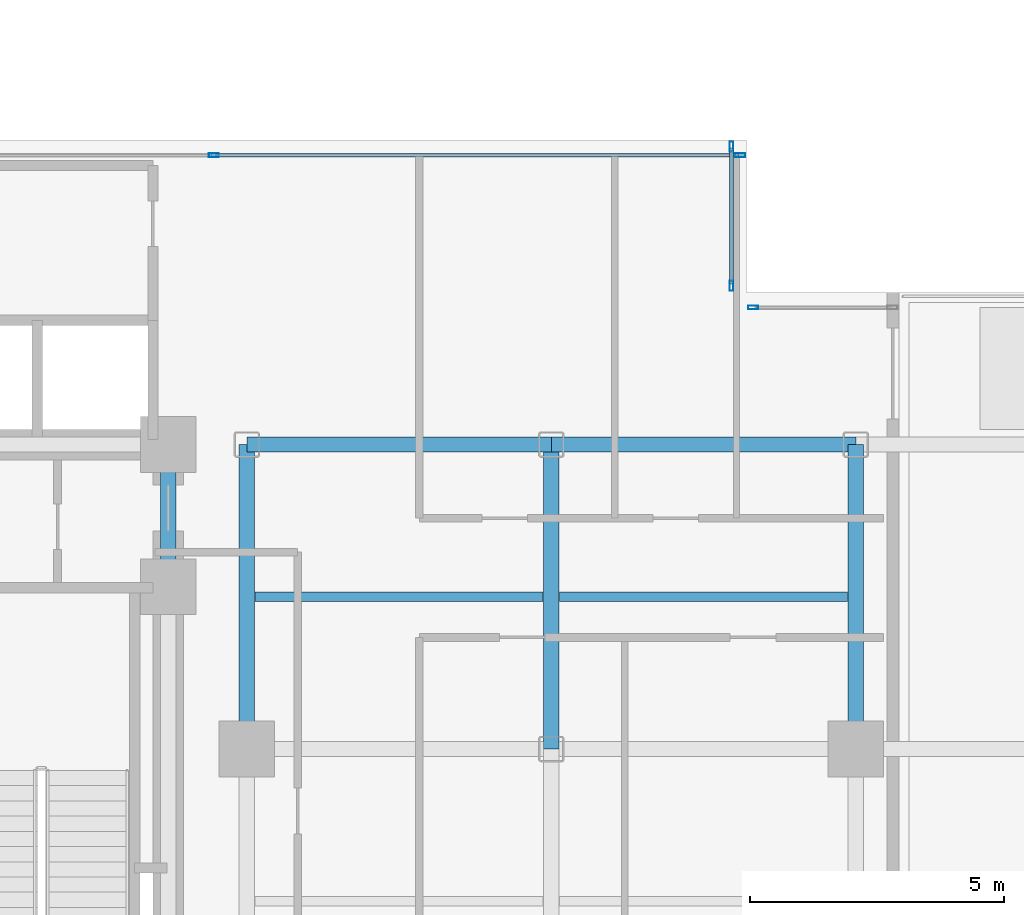
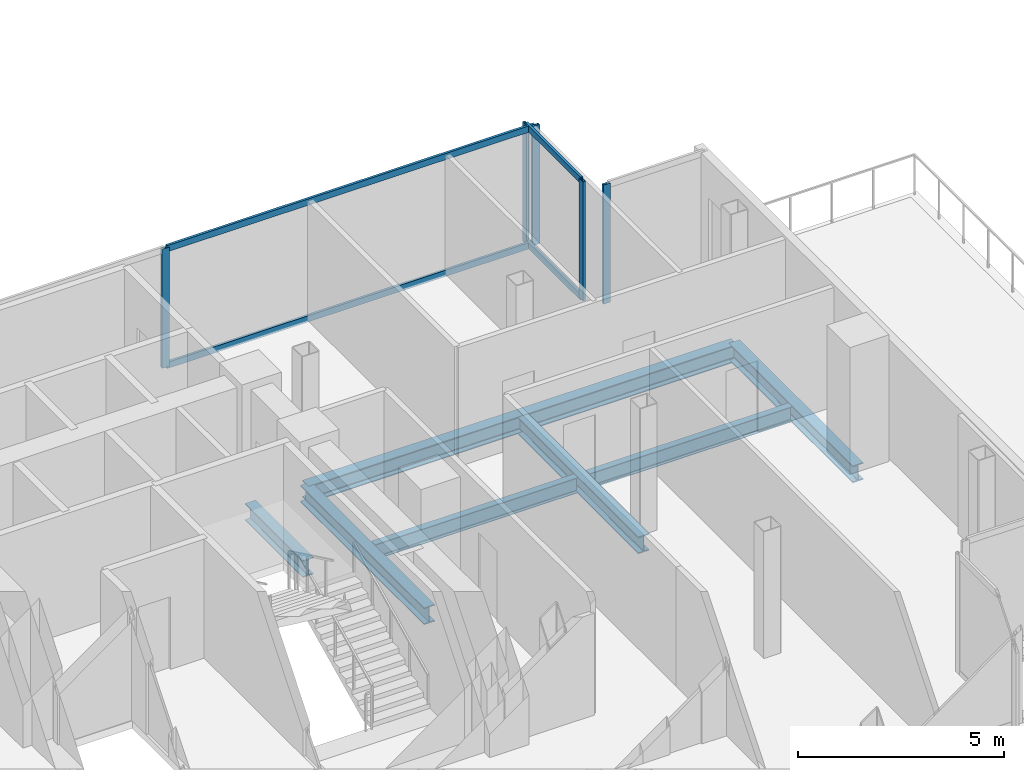
# One storey, part 13 of 26: 9 members, 8 beams, 3 elements without a shape of their own.
"""IFC4 building model written with IfcOpenShell, lengths in metres."""

from ifc_helpers import new_model, si_unit, direction, frame, origin, origin_2d, place, context, subcontext, project, spatial, hollow_rectangle, i_section, extrude, material, layer, layer_set, material_profile, profile_set, type_object, element, aggregate, save


model = new_model("IFC4")

# Units and contexts
model_context = context("Model", 3, precision=1e-05, world=origin(), true_north=direction((0.0, 1.0)))
body_context = subcontext(model_context, "Body", "Model", "MODEL_VIEW")
ifc_project = project(units=[si_unit("LENGTHUNIT", "METRE"), si_unit("AREAUNIT", "SQUARE_METRE"), si_unit("VOLUMEUNIT", "CUBIC_METRE"), si_unit("PLANEANGLEUNIT", "RADIAN"), si_unit("MASSUNIT", "GRAM", prefix="KILO"), si_unit("THERMODYNAMICTEMPERATUREUNIT", "KELVIN"), si_unit("POWERUNIT", "WATT")], contexts=[model_context])

# Site, building, storey
site_placement = place(None, origin())
site = spatial("IfcSite", under=ifc_project, at=site_placement, CompositionType="ELEMENT")
building_placement = place(site_placement, origin())
building = spatial("IfcBuilding", under=site, at=building_placement, Name="Svarakhadi Broadcast Tower", CompositionType="ELEMENT")
storey_placement = place(building_placement, frame((0.0, 0.0, 99.60009765625)))
storey = spatial("IfcBuildingStorey", under=building, at=storey_placement, Name="L23", CompositionType="ELEMENT", Elevation=99.60009765625)

# Beams
ifc_material_1 = material(Name="Steel S355J2 (IS 2062 E350C)", Category="steel")
ifc_material_profile_1 = material_profile(ifc_material_1, i_section(OverallWidth=0.18994140625, OverallDepth=0.449951171875, WebThickness=0.009521484375, FlangeThickness=0.0146484375, FilletRadius=0.02099609375, at=origin_2d()), Name="NPB 450x190x78")
ifc_profile_set_1 = profile_set([ifc_material_profile_1], Name="Steel S355J2 (IS 2062 E350C)")
beam_type_1 = type_object("IfcBeamType", Name="Beam_NPB450", PredefinedType="BEAM", material=ifc_profile_set_1)
for number, where, z_axis, x_axis, name in (
    (1, (35.31005859375, 15.0, -0.4501953125), (1.0, 0.0, 0.0), (0.0, 1.0, 0.0), "L23 Secondary Composite Beam SB022"),
    (2, (41.31005859375, 15.0, -0.4501953125), (1.0, 0.0, 0.0), (0.0, 1.0, 0.0), "L23 Secondary Composite Beam SB025"),
):
    element("IfcBeam", number, at=place(storey_placement, frame(where, z_axis=z_axis, x_axis=x_axis)), inside=storey, type_object=beam_type_1, Name=name, PredefinedType="BEAM", context=body_context, shape_type="SweptSolid", body=[
        extrude(i_section(OverallWidth=0.18994140625, OverallDepth=0.449951171875, WebThickness=0.009521484375, FlangeThickness=0.0146484375, FilletRadius=0.02099609375, at=origin_2d()), origin(), (0.0, 0.0, 1.0), 5.679931640625),
    ])

# Curtain wall, members
ifc_material_2 = material(Name="Anodised Bronze Aluminium AA 6063-T6", Category="aluminium")
ifc_layer = layer(ifc_material_2, 0.199951171875)
ifc_layer_set = layer_set([ifc_layer], Name="Anodised Bronze Aluminium AA 6063-T6")
curtain_wall_type = type_object("IfcCurtainWallType", Name="CW_Sys_03", PredefinedType="NOTDEFINED", material=ifc_layer_set)
curtain_wall_1_placement = place(storey_placement, origin())
curtain_wall_1 = element("IfcCurtainWall", 3, at=curtain_wall_1_placement, inside=storey, type_object=curtain_wall_type, Name="L23 Unitised Facade Curtain Wall 09", PredefinedType="NOTDEFINED")
ifc_material_profile_2 = material_profile(ifc_material_2, hollow_rectangle(XDim=0.074951171875, YDim=0.199951171875, WallThickness=0.005615234375, at=origin_2d()), Name="ALU MULLION 200x75x6")
ifc_profile_set_2 = profile_set([ifc_material_profile_2], Name="Anodised Bronze Aluminium AA 6063-T6")
member_type_1 = type_object("IfcMemberType", Name="CW_Sys_03_Mul", PredefinedType="MULLION", material=ifc_profile_set_2)
member_1_placement = place(storey_placement, frame((34.5, 23.699951171875, 0.0), z_axis=(0.0, 0.0, 1.0), x_axis=(0.0, 1.0, 0.0)))
member_1 = element("IfcMember", 4, at=member_1_placement, type_object=member_type_1, Name="CW-03 mullion 2", PredefinedType="MULLION", context=body_context, shape_type="SweptSolid", body=[
    extrude(hollow_rectangle(XDim=0.074951171875, YDim=0.199951171875, WallThickness=0.005615234375, at=origin_2d()), origin(), (0.0, 0.0, 1.0), 3.52490234375),
])
member_2_placement = place(storey_placement, frame((44.87255859375, 23.699951171875, 0.0), z_axis=(0.0, 0.0, 1.0), x_axis=(0.0, 1.0, 0.0)))
member_2 = element("IfcMember", 5, at=member_2_placement, type_object=member_type_1, Name="CW-03 mullion 3", PredefinedType="MULLION", context=body_context, shape_type="SweptSolid", body=[
    extrude(hollow_rectangle(XDim=0.074951171875, YDim=0.199951171875, WallThickness=0.005615234375, at=origin_2d()), origin(), (0.0, 0.0, 1.0), 3.52490234375),
])

curtain_wall_2_placement = place(storey_placement, origin())
curtain_wall_2 = element("IfcCurtainWall", 6, at=curtain_wall_2_placement, inside=storey, type_object=curtain_wall_type, Name="L23 Unitised Facade Curtain Wall 10", PredefinedType="NOTDEFINED")
member_3_placement = place(storey_placement, frame((44.699951171875, 23.87255859375, 0.0), z_axis=(0.0, 0.0, 1.0), x_axis=(1.0, 0.0, 0.0)))
member_3 = element("IfcMember", 7, at=member_3_placement, type_object=member_type_1, Name="CW-03 mullion 1", PredefinedType="MULLION", context=body_context, shape_type="SweptSolid", body=[
    extrude(hollow_rectangle(XDim=0.074951171875, YDim=0.199951171875, WallThickness=0.005615234375, at=origin_2d()), origin(), (0.0, 0.0, 1.0), 3.52490234375),
])
member_4_placement = place(storey_placement, frame((44.699951171875, 21.12744140625, 0.0), z_axis=(0.0, 0.0, 1.0), x_axis=(1.0, 0.0, 0.0)))
member_4 = element("IfcMember", 8, at=member_4_placement, type_object=member_type_1, Name="CW-03 mullion 2", PredefinedType="MULLION", context=body_context, shape_type="SweptSolid", body=[
    extrude(hollow_rectangle(XDim=0.074951171875, YDim=0.199951171875, WallThickness=0.005615234375, at=origin_2d()), origin(), (0.0, 0.0, 1.0), 3.52490234375),
])

# Curtain wall, member
curtain_wall_3_placement = place(storey_placement, origin())
curtain_wall_3 = element("IfcCurtainWall", 9, at=curtain_wall_3_placement, inside=storey, type_object=curtain_wall_type, Name="L23 Unitised Facade Curtain Wall 11", PredefinedType="NOTDEFINED")
member_5_placement = place(storey_placement, frame((45.12744140625, 20.699951171875, 0.0), z_axis=(0.0, 0.0, 1.0), x_axis=(0.0, 1.0, 0.0)))
member_5 = element("IfcMember", 10, at=member_5_placement, type_object=member_type_1, Name="CW-03 mullion 1", PredefinedType="MULLION", context=body_context, shape_type="SweptSolid", body=[
    extrude(hollow_rectangle(XDim=0.074951171875, YDim=0.199951171875, WallThickness=0.005615234375, at=origin_2d()), origin(), (0.0, 0.0, 1.0), 3.52490234375),
])
aggregate(curtain_wall_3, [member_5])

# Member
ifc_material_profile_3 = material_profile(ifc_material_2, hollow_rectangle(XDim=0.070068359375, YDim=0.18505859375, WallThickness=0.0048828125, at=origin_2d()), Name="ALU TRANSOM 185x70x5")
ifc_profile_set_3 = profile_set([ifc_material_profile_3], Name="Anodised Bronze Aluminium AA 6063-T6")
member_type_2 = type_object("IfcMemberType", Name="CW_Sys_03_Trn", PredefinedType="USERDEFINED", material=ifc_profile_set_3)
member_6_placement = place(storey_placement, frame((34.53759765625, 23.699951171875, 0.034912109375), z_axis=(1.0, 0.0, 0.0), x_axis=(0.0, 1.0, 0.0)))
member_6 = element("IfcMember", 11, at=member_6_placement, type_object=member_type_2, Name="CW-03 transom 2.1", ObjectType="TRANSOM", PredefinedType="USERDEFINED", context=body_context, shape_type="SweptSolid", body=[
    extrude(hollow_rectangle(XDim=0.070068359375, YDim=0.18505859375, WallThickness=0.0048828125, at=origin_2d()), origin(), (0.0, 0.0, 1.0), 10.29736328125),
])

member_7_placement = place(storey_placement, frame((34.53759765625, 23.699951171875, 3.489990234375), z_axis=(1.0, 0.0, 0.0), x_axis=(0.0, 1.0, 0.0)))
member_7 = element("IfcMember", 12, at=member_7_placement, type_object=member_type_2, Name="CW-03 transom 2.2", ObjectType="TRANSOM", PredefinedType="USERDEFINED", context=body_context, shape_type="SweptSolid", body=[
    extrude(hollow_rectangle(XDim=0.070068359375, YDim=0.18505859375, WallThickness=0.0048828125, at=origin_2d()), origin(), (0.0, 0.0, 1.0), 10.29736328125),
])

aggregate(curtain_wall_1, [member_1, member_2, member_6, member_7])

member_8_placement = place(storey_placement, frame((44.699951171875, 23.8349609375, 0.034912109375), z_axis=(0.0, -1.0, 0.0), x_axis=(1.0, 0.0, 0.0)))
member_8 = element("IfcMember", 13, at=member_8_placement, type_object=member_type_2, Name="CW-03 transom 1.1", ObjectType="TRANSOM", PredefinedType="USERDEFINED", context=body_context, shape_type="SweptSolid", body=[
    extrude(hollow_rectangle(XDim=0.070068359375, YDim=0.18505859375, WallThickness=0.0048828125, at=origin_2d()), origin(), (0.0, 0.0, 1.0), 2.669921875),
])

member_9_placement = place(storey_placement, frame((44.699951171875, 23.8349609375, 3.489990234375), z_axis=(0.0, -1.0, 0.0), x_axis=(1.0, 0.0, 0.0)))
member_9 = element("IfcMember", 14, at=member_9_placement, type_object=member_type_2, Name="CW-03 transom 1.2", ObjectType="TRANSOM", PredefinedType="USERDEFINED", context=body_context, shape_type="SweptSolid", body=[
    extrude(hollow_rectangle(XDim=0.070068359375, YDim=0.18505859375, WallThickness=0.0048828125, at=origin_2d()), origin(), (0.0, 0.0, 1.0), 2.669921875),
])

aggregate(curtain_wall_2, [member_3, member_4, member_8, member_9])

# Beams
ifc_material_profile_4 = material_profile(ifc_material_1, i_section(OverallWidth=0.300048828125, OverallDepth=0.5, WebThickness=0.014404296875, FlangeThickness=0.028076171875, FilletRadius=0.027099609375, at=origin_2d()), Name="WPB 500x300x187")
ifc_profile_set_4 = profile_set([ifc_material_profile_4], Name="Steel S355J2 (IS 2062 E350C)")
beam_type_2 = type_object("IfcBeamType", Name="Girder_WPB500", PredefinedType="USERDEFINED", material=ifc_profile_set_4)
for number, where, z_axis, x_axis, name in (
    (15, (35.14990234375, 18.0, -0.47509765625), (1.0, 0.0, 0.0), (0.0, 1.0, 0.0), "L23 Primary E-W Girder G029"),
    (16, (41.14990234375, 18.0, -0.47509765625), (1.0, 0.0, 0.0), (0.0, 1.0, 0.0), "L23 Primary E-W Girder G030"),
):
    element("IfcBeam", number, at=place(storey_placement, frame(where, z_axis=z_axis, x_axis=x_axis)), inside=storey, type_object=beam_type_2, Name=name, ObjectType="GIRDER", PredefinedType="USERDEFINED", context=body_context, shape_type="SweptSolid", body=[
        extrude(i_section(OverallWidth=0.300048828125, OverallDepth=0.5, WebThickness=0.014404296875, FlangeThickness=0.028076171875, FilletRadius=0.027099609375, at=origin_2d()), origin(), (0.0, 0.0, 1.0), 6.0),
    ])
beam_placement = place(storey_placement, frame((33.60009765625, 15.199951171875, -0.47509765625), z_axis=(0.0, 1.0, 0.0), x_axis=(-1.0, 0.0, 0.0)))
element("IfcBeam", 17, at=beam_placement, inside=storey, type_object=beam_type_2, Name="L23 Primary N-S Girder G069", ObjectType="GIRDER", PredefinedType="USERDEFINED", context=body_context, shape_type="SweptSolid", body=[
    extrude(i_section(OverallWidth=0.300048828125, OverallDepth=0.5, WebThickness=0.014404296875, FlangeThickness=0.028076171875, FilletRadius=0.027099609375, at=origin_2d()), origin(), (0.0, 0.0, 1.0), 2.800048828125),
])
for number, where, z_axis, x_axis, name in (
    (18, (35.14990234375, 12.0, -0.47509765625), (0.0, 1.0, 0.0), (-1.0, 0.0, 0.0), "L23 Primary N-S Girder G072"),
    (19, (41.14990234375, 12.0, -0.47509765625), (0.0, 1.0, 0.0), (-1.0, 0.0, 0.0), "L23 Primary N-S Girder G075"),
    (20, (47.14990234375, 12.0, -0.47509765625), (0.0, 1.0, 0.0), (-1.0, 0.0, 0.0), "L23 Primary N-S Girder G078"),
):
    element("IfcBeam", number, at=place(storey_placement, frame(where, z_axis=z_axis, x_axis=x_axis)), inside=storey, type_object=beam_type_2, Name=name, ObjectType="GIRDER", PredefinedType="USERDEFINED", context=body_context, shape_type="SweptSolid", body=[
        extrude(i_section(OverallWidth=0.300048828125, OverallDepth=0.5, WebThickness=0.014404296875, FlangeThickness=0.028076171875, FilletRadius=0.027099609375, at=origin_2d()), origin(), (0.0, 0.0, 1.0), 6.0),
    ])

save(model, "model.ifc")
